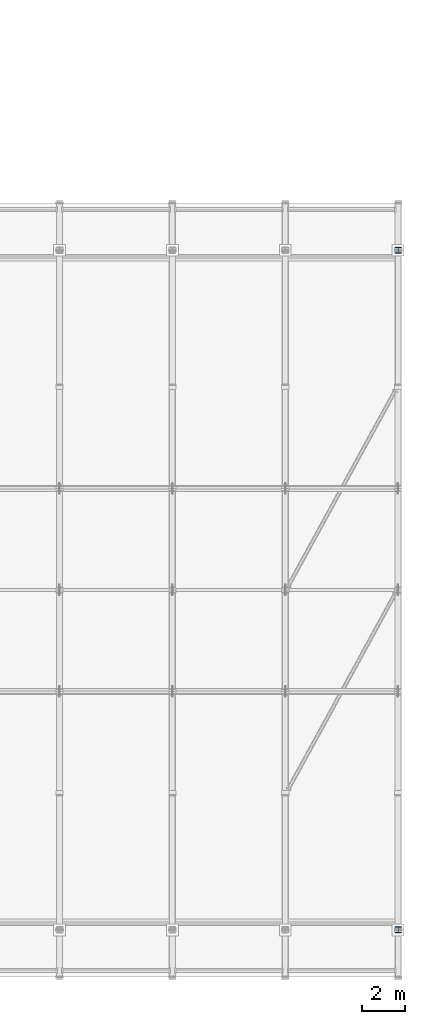
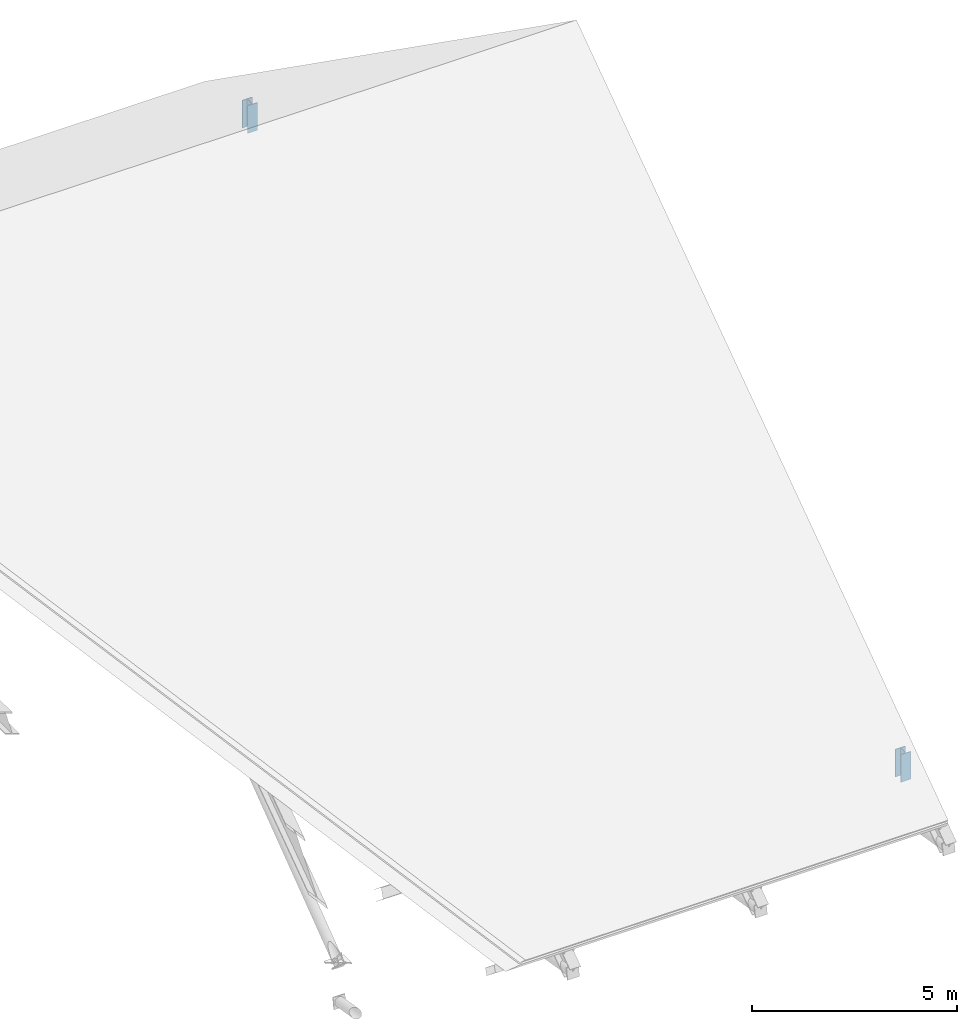
# One storey, part 29 of 57: 2 members.
"""IFC4 building model written with IfcOpenShell, lengths in metres."""

from ifc_helpers import new_model, si_unit, direction, frame, origin, origin_2d, place, context, subcontext, project, spatial, i_section, extrude, material, material_profile, profile_set, type_object, element, save


model = new_model("IFC4")

# Units and contexts
model_context = context("Model", 3, precision=1e-05, world=origin(), true_north=direction((0.0, 1.0)))
body_context = subcontext(model_context, "Body", "Model", "MODEL_VIEW")
ifc_project = project(units=[si_unit("LENGTHUNIT", "METRE"), si_unit("AREAUNIT", "SQUARE_METRE"), si_unit("VOLUMEUNIT", "CUBIC_METRE"), si_unit("PLANEANGLEUNIT", "RADIAN"), si_unit("MASSUNIT", "GRAM", prefix="KILO")], contexts=[model_context])

# Site, building, storey
site_placement = place(None, origin())
site = spatial("IfcSite", under=ifc_project, at=site_placement, CompositionType="ELEMENT")
building_placement = place(site_placement, origin())
building = spatial("IfcBuilding", under=site, at=building_placement, Name="Kelarvand Opera House", CompositionType="ELEMENT")
storey_placement = place(building_placement, frame((0.0, 0.0, 33.60009765625)))
storey = spatial("IfcBuildingStorey", under=building, at=storey_placement, Name="Roof", CompositionType="ELEMENT", Elevation=33.60009765625)

# Members
ifc_material = material(Name="Steel S355", Category="steel")
ifc_material_profile = material_profile(ifc_material, i_section(OverallWidth=0.280029296875, OverallDepth=0.280029296875, WebThickness=0.010498046875, FlangeThickness=0.01806640625, at=origin_2d()), Name="HEB 280", Category="steel")
ifc_profile_set = profile_set([ifc_material_profile], Name="Steel S355")
member_type = type_object("IfcMemberType", Name="Structural Post HEB 280 PS-HEB280", PredefinedType="POST", material=ifc_profile_set)
for number, where, z_axis, x_axis, name in (
    (1, (141.800048828125, 46.60009765625, -9.60009765625), (0.0, 0.0, 1.0), (1.0, 0.0, 0.0), "V1 Roof Truss 11 Bearing Post S"),
    (2, (141.800048828125, 78.39990234375, -9.60009765625), (0.0, 0.0, 1.0), (1.0, 0.0, 0.0), "V1 Roof Truss 11 Bearing Post N"),
):
    element("IfcMember", number, at=place(storey_placement, frame(where, z_axis=z_axis, x_axis=x_axis)), inside=storey, type_object=member_type, Name=name, PredefinedType="POST", context=body_context, shape_type="SweptSolid", body=[
        extrude(i_section(OverallWidth=0.280029296875, OverallDepth=0.280029296875, WebThickness=0.010498046875, FlangeThickness=0.01806640625, at=origin_2d()), origin(), (0.0, 0.0, 1.0), 0.82373046875),
    ])

save(model, "model.ifc")
